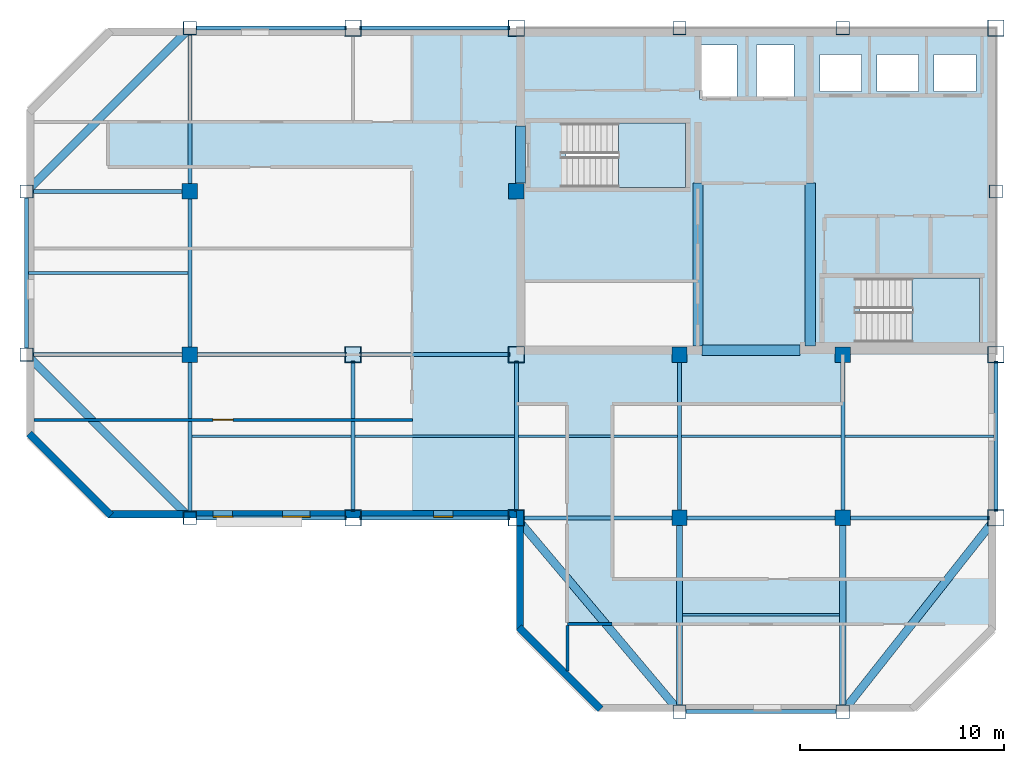
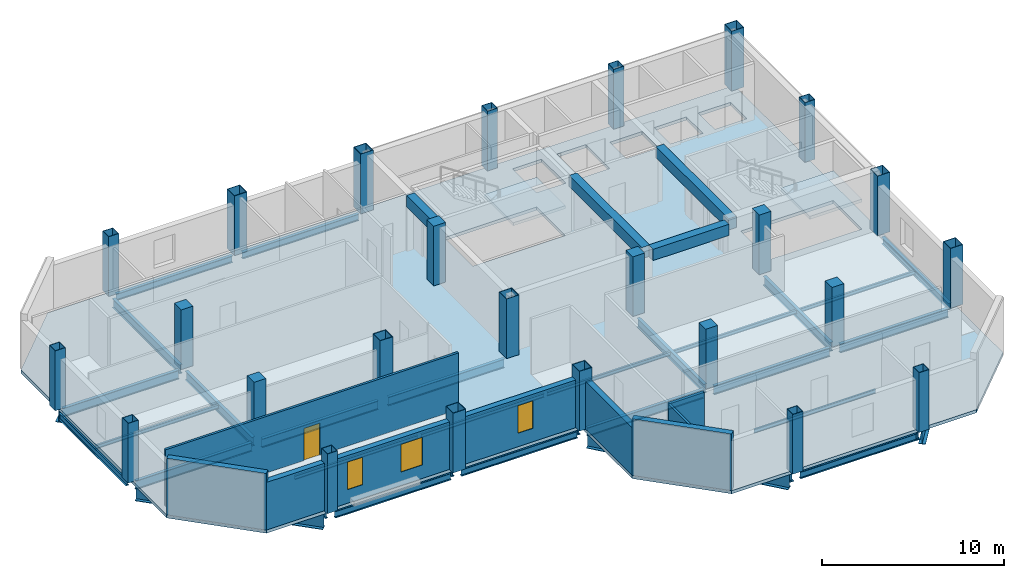
# One storey, part 1 of 7: 38 beams, 25 columns, 7 walls, 3 slabs, 3 windows, 1 door, 4 openings, 2 elements without a shape of their own.
"""IFC4 building model written with IfcOpenShell, lengths in metres."""

from ifc_helpers import new_model, si_unit, direction, frame, frame_2d, origin, origin_2d, place, context, subcontext, project, spatial, polyline, rectangle, hollow_rectangle, i_section, outline, extrude, material, layer, layer_set, material_profile, profile_set, type_object, element, fill, aggregate, save


model = new_model("IFC4")

# Units and contexts
model_context = context("Model", 3, precision=1e-05, world=origin(), true_north=direction((0.0, 1.0)))
body_context = subcontext(model_context, "Body", "Model", "MODEL_VIEW")
ifc_project = project(units=[si_unit("LENGTHUNIT", "METRE"), si_unit("AREAUNIT", "SQUARE_METRE"), si_unit("VOLUMEUNIT", "CUBIC_METRE"), si_unit("PLANEANGLEUNIT", "RADIAN"), si_unit("MASSUNIT", "GRAM", prefix="KILO")], contexts=[model_context])

# Site, building, storey
site_placement = place(None, origin())
site = spatial("IfcSite", under=ifc_project, at=site_placement, CompositionType="ELEMENT")
building_placement = place(site_placement, origin())
building = spatial("IfcBuilding", under=site, at=building_placement, Name="Qianrong Seaharbour Tower", CompositionType="ELEMENT")
storey_placement = place(building_placement, frame((0.0, 0.0, 307.199951171875)))
storey = spatial("IfcBuildingStorey", under=building, at=storey_placement, Name="L74", CompositionType="ELEMENT", Elevation=307.199951171875)

# Columns
ifc_material_1 = material(Name="Structural steel SN490B", Category="steel")
ifc_material_profile_1 = material_profile(ifc_material_1, hollow_rectangle(XDim=0.800048828125, YDim=0.800048828125, WallThickness=0.031982421875, at=origin_2d()), Name="BOX800x800x32")
ifc_profile_set_1 = profile_set([ifc_material_profile_1], Name="Structural steel SN490B")
column_type_1 = type_object("IfcColumnType", Name="COL-CFT-800", PredefinedType="COLUMN", material=ifc_profile_set_1)
for number, where, z_axis, x_axis, name in (
    (1, (32.5, 28.0, 0.0), (0.0, 0.0, 1.0), (1.0, 0.0, 0.0), "L74 Column MC-5 at G5/GE"),
    (2, (32.5, 36.0, 0.0), (0.0, 0.0, 1.0), (1.0, 0.0, 0.0), "L74 Column MC-5 at G5/GF"),
    (3, (32.5, 52.0, 0.0), (0.0, 0.0, 1.0), (1.0, 0.0, 0.0), "L74 Column MC-5 at G5/GH"),
    (4, (40.5, 28.0, 0.0), (0.0, 0.0, 1.0), (1.0, 0.0, 0.0), "L74 Column MC-5 at G6/GE"),
    (5, (40.5, 36.0, 0.0), (0.0, 0.0, 1.0), (1.0, 0.0, 0.0), "L74 Column MC-5 at G6/GF"),
    (6, (40.5, 52.0, 0.0), (0.0, 0.0, 1.0), (1.0, 0.0, 0.0), "L74 Column MC-5 at G6/GH"),
    (7, (64.0, 28.0, 0.0), (0.0, 0.0, 1.0), (1.0, 0.0, 0.0), "L74 Column MC-5 at G9/GE"),
    (8, (64.0, 36.0, 0.0), (0.0, 0.0, 1.0), (1.0, 0.0, 0.0), "L74 Column MC-5 at G9/GF"),
    (9, (64.0, 52.0, 0.0), (0.0, 0.0, 1.0), (1.0, 0.0, 0.0), "L74 Column MC-5 at G9/GH"),
):
    element("IfcColumn", number, at=place(storey_placement, frame(where, z_axis=z_axis, x_axis=x_axis)), inside=storey, type_object=column_type_1, Name=name, PredefinedType="COLUMN", context=body_context, shape_type="SweptSolid", body=[
        extrude(hollow_rectangle(XDim=0.800048828125, YDim=0.800048828125, WallThickness=0.031982421875, at=origin_2d()), origin(), (0.0, 0.0, 1.0), 4.0),
    ])
ifc_material_2 = material(Name="Concrete C50/60", Category="concrete")
ifc_material_profile_2 = material_profile(ifc_material_2, rectangle(XDim=0.75, YDim=0.75, at=origin_2d()), Name="RC750x750")
ifc_profile_set_2 = profile_set([ifc_material_profile_2], Name="Concrete C50/60")
column_type_2 = type_object("IfcColumnType", Name="COL-INT-RC750", PredefinedType="COLUMN", material=ifc_profile_set_2)
for number, where, z_axis, x_axis, name in (
    (10, (24.5, 36.0, 0.0), (0.0, 0.0, 1.0), (1.0, 0.0, 0.0), "L74 Column IC-4 at G4/GF"),
    (11, (24.5, 44.0, 0.0), (0.0, 0.0, 1.0), (1.0, 0.0, 0.0), "L74 Column IC-4 at G4/GG"),
    (12, (40.5, 44.0, 0.0), (0.0, 0.0, 1.0), (1.0, 0.0, 0.0), "L74 Column IC-4 at G6/GG"),
    (13, (48.5, 28.0, 0.0), (0.0, 0.0, 1.0), (1.0, 0.0, 0.0), "L74 Column IC-4 at G7/GE"),
    (14, (48.5, 36.0, 0.0), (0.0, 0.0, 1.0), (1.0, 0.0, 0.0), "L74 Column IC-4 at G7/GF"),
    (15, (56.5, 28.0, 0.0), (0.0, 0.0, 1.0), (1.0, 0.0, 0.0), "L74 Column IC-4 at G8/GE"),
    (16, (56.5, 36.0, 0.0), (0.0, 0.0, 1.0), (1.0, 0.0, 0.0), "L74 Column IC-4 at G8/GF"),
):
    element("IfcColumn", number, at=place(storey_placement, frame(where, z_axis=z_axis, x_axis=x_axis)), inside=storey, type_object=column_type_2, Name=name, PredefinedType="COLUMN", context=body_context, shape_type="SweptSolid", body=[
        extrude(rectangle(XDim=0.75, YDim=0.75, at=origin_2d()), origin(), (0.0, 0.0, 1.0), 4.0),
    ])
ifc_material_3 = material(Name="Structural steel SN400B", Category="steel")
ifc_material_profile_3 = material_profile(ifc_material_3, hollow_rectangle(XDim=0.64990234375, YDim=0.64990234375, WallThickness=0.028076171875, at=origin_2d()), Name="BOX650x650x28")
ifc_profile_set_3 = profile_set([ifc_material_profile_3], Name="Structural steel SN400B")
column_type_3 = type_object("IfcColumnType", Name="COL-PER-650", PredefinedType="COLUMN", material=ifc_profile_set_3)
for number, where, z_axis, x_axis, name in (
    (17, (16.5, 36.0, 0.0), (0.0, 0.0, 1.0), (1.0, 0.0, 0.0), "L74 Column PC-4 at G3/GF"),
    (18, (16.5, 44.0, 0.0), (0.0, 0.0, 1.0), (1.0, 0.0, 0.0), "L74 Column PC-4 at G3/GG"),
    (19, (24.5, 28.0, 0.0), (0.0, 0.0, 1.0), (1.0, 0.0, 0.0), "L74 Column PC-4 at G4/GE"),
    (20, (24.5, 52.0, 0.0), (0.0, 0.0, 1.0), (1.0, 0.0, 0.0), "L74 Column PC-4 at G4/GH"),
    (21, (48.5, 18.5, 0.0), (0.0, 0.0, 1.0), (1.0, 0.0, 0.0), "L74 Column PC-4 at G7/GD"),
    (22, (48.5, 52.0, 0.0), (0.0, 0.0, 1.0), (1.0, 0.0, 0.0), "L74 Column PC-4 at G7/GH"),
    (23, (56.5, 18.5, 0.0), (0.0, 0.0, 1.0), (1.0, 0.0, 0.0), "L74 Column PC-4 at G8/GD"),
    (24, (56.5, 52.0, 0.0), (0.0, 0.0, 1.0), (1.0, 0.0, 0.0), "L74 Column PC-4 at G8/GH"),
    (25, (64.0, 44.0, 0.0), (0.0, 0.0, 1.0), (1.0, 0.0, 0.0), "L74 Column PC-4 at G9/GG"),
):
    element("IfcColumn", number, at=place(storey_placement, frame(where, z_axis=z_axis, x_axis=x_axis)), inside=storey, type_object=column_type_3, Name=name, PredefinedType="COLUMN", context=body_context, shape_type="SweptSolid", body=[
        extrude(hollow_rectangle(XDim=0.64990234375, YDim=0.64990234375, WallThickness=0.028076171875, at=origin_2d()), origin(), (0.0, 0.0, 1.0), 4.0),
    ])

# Beams
ifc_material_profile_4 = material_profile(ifc_material_1, i_section(OverallWidth=0.199951171875, OverallDepth=0.60009765625, WebThickness=0.010986328125, FlangeThickness=0.01708984375, FilletRadius=0.02197265625, at=origin_2d()), Name="H600x200x11x17")
ifc_profile_set_4 = profile_set([ifc_material_profile_4], Name="Structural steel SN490B")
beam_type_1 = type_object("IfcBeamType", Name="BM-G-600", PredefinedType="BEAM", material=ifc_profile_set_4)
for number, where, z_axis, x_axis, name in (
    (26, (40.820068359375, 28.0, -0.514892578125), (1.0, 0.0, 0.0), (0.0, 1.0, 0.0), "L74 Primary Girder GE G6-G7"),
    (27, (48.820068359375, 28.0, -0.514892578125), (1.0, 0.0, 0.0), (0.0, 1.0, 0.0), "L74 Primary Girder GE G7-G8"),
):
    element("IfcBeam", number, at=place(storey_placement, frame(where, z_axis=z_axis, x_axis=x_axis)), inside=storey, type_object=beam_type_1, Name=name, PredefinedType="BEAM", context=body_context, shape_type="SweptSolid", body=[
        extrude(i_section(OverallWidth=0.199951171875, OverallDepth=0.60009765625, WebThickness=0.010986328125, FlangeThickness=0.01708984375, FilletRadius=0.02197265625, at=origin_2d()), origin(), (0.0, 0.0, 1.0), 7.35986328125),
    ])
beam_1_placement = place(storey_placement, frame((56.820068359375, 28.0, -0.514892578125), z_axis=(1.0, 0.0, 0.0), x_axis=(0.0, 1.0, 0.0)))
element("IfcBeam", 28, at=beam_1_placement, inside=storey, type_object=beam_type_1, Name="L74 Primary Girder GE G8-G9", PredefinedType="BEAM", context=body_context, shape_type="SweptSolid", body=[
    extrude(i_section(OverallWidth=0.199951171875, OverallDepth=0.60009765625, WebThickness=0.010986328125, FlangeThickness=0.01708984375, FilletRadius=0.02197265625, at=origin_2d()), origin(), (0.0, 0.0, 1.0), 6.85986328125),
])
for number, where, z_axis, x_axis, name in (
    (29, (16.820068359375, 36.0, -0.514892578125), (1.0, 0.0, 0.0), (0.0, 1.0, 0.0), "L74 Primary Girder GF G3-G4"),
    (30, (24.820068359375, 36.0, -0.514892578125), (1.0, 0.0, 0.0), (0.0, 1.0, 0.0), "L74 Primary Girder GF G4-G5"),
    (31, (32.820068359375, 36.0, -0.514892578125), (1.0, 0.0, 0.0), (0.0, 1.0, 0.0), "L74 Primary Girder GF G5-G6"),
    (32, (16.820068359375, 44.0, -0.514892578125), (1.0, 0.0, 0.0), (0.0, 1.0, 0.0), "L74 Primary Girder GG G3-G4"),
    (33, (24.5, 28.320068359375, -0.514892578125), (0.0, 1.0, 0.0), (-1.0, 0.0, 0.0), "L74 Primary Girder G4 GE-GF"),
    (34, (24.5, 36.320068359375, -0.514892578125), (0.0, 1.0, 0.0), (-1.0, 0.0, 0.0), "L74 Primary Girder G4 GF-GG"),
    (35, (24.5, 44.320068359375, -0.514892578125), (0.0, 1.0, 0.0), (-1.0, 0.0, 0.0), "L74 Primary Girder G4 GG-GH"),
    (36, (32.5, 28.320068359375, -0.514892578125), (0.0, 1.0, 0.0), (-1.0, 0.0, 0.0), "L74 Primary Girder G5 GE-GF"),
    (37, (40.5, 28.320068359375, -0.514892578125), (0.0, 1.0, 0.0), (-1.0, 0.0, 0.0), "L74 Primary Girder G6 GE-GF"),
    (38, (48.5, 28.320068359375, -0.514892578125), (0.0, 1.0, 0.0), (-1.0, 0.0, 0.0), "L74 Primary Girder G7 GE-GF"),
    (39, (56.5, 28.320068359375, -0.514892578125), (0.0, 1.0, 0.0), (-1.0, 0.0, 0.0), "L74 Primary Girder G8 GE-GF"),
):
    element("IfcBeam", number, at=place(storey_placement, frame(where, z_axis=z_axis, x_axis=x_axis)), inside=storey, type_object=beam_type_1, Name=name, PredefinedType="BEAM", context=body_context, shape_type="SweptSolid", body=[
        extrude(i_section(OverallWidth=0.199951171875, OverallDepth=0.60009765625, WebThickness=0.010986328125, FlangeThickness=0.01708984375, FilletRadius=0.02197265625, at=origin_2d()), origin(), (0.0, 0.0, 1.0), 7.35986328125),
    ])
ifc_material_profile_5 = material_profile(ifc_material_1, i_section(OverallWidth=0.300048828125, OverallDepth=0.800048828125, WebThickness=0.013916015625, FlangeThickness=0.02587890625, FilletRadius=0.028076171875, at=origin_2d()), Name="H800x300x14x26")
ifc_profile_set_5 = profile_set([ifc_material_profile_5], Name="Structural steel SN490B")
beam_type_2 = type_object("IfcBeamType", Name="BM-G-800", PredefinedType="BEAM", material=ifc_profile_set_5)
for number, where, z_axis, x_axis, name in (
    (40, (48.5, 18.820068359375, -0.614990234375), (0.0, 1.0, 0.0), (-1.0, 0.0, 0.0), "L74 Primary Girder G7 GD-GE"),
    (41, (56.5, 18.820068359375, -0.614990234375), (0.0, 1.0, 0.0), (-1.0, 0.0, 0.0), "L74 Primary Girder G8 GD-GE"),
):
    element("IfcBeam", number, at=place(storey_placement, frame(where, z_axis=z_axis, x_axis=x_axis)), inside=storey, type_object=beam_type_2, Name=name, PredefinedType="BEAM", context=body_context, shape_type="SweptSolid", body=[
        extrude(i_section(OverallWidth=0.300048828125, OverallDepth=0.800048828125, WebThickness=0.013916015625, FlangeThickness=0.02587890625, FilletRadius=0.028076171875, at=origin_2d()), origin(), (0.0, 0.0, 1.0), 8.85986328125),
    ])
ifc_material_profile_6 = material_profile(ifc_material_3, i_section(OverallWidth=0.125, OverallDepth=0.25, WebThickness=0.006103515625, FlangeThickness=0.009033203125, FilletRadius=0.011962890625, at=origin_2d()), Name="H250x125x6x9")
ifc_profile_set_6 = profile_set([ifc_material_profile_6], Name="Structural steel SN400B")
beam_type_3 = type_object("IfcBeamType", Name="BM-J-250", PredefinedType="JOIST", material=ifc_profile_set_6)
for number, where, z_axis, x_axis, name in (
    (42, (16.60009765625, 40.0, -0.33984375), (1.0, 0.0, 0.0), (0.0, 1.0, 0.0), "L74 Composite Floor Joist G3-G4/GF-GG"),
    (43, (24.60009765625, 32.0, -0.33984375), (1.0, 0.0, 0.0), (0.0, 1.0, 0.0), "L74 Composite Floor Joist G4-G5/GE-GF"),
    (44, (32.60009765625, 32.0, -0.33984375), (1.0, 0.0, 0.0), (0.0, 1.0, 0.0), "L74 Composite Floor Joist G5-G6/GE-GF"),
    (45, (40.60009765625, 32.0, -0.33984375), (1.0, 0.0, 0.0), (0.0, 1.0, 0.0), "L74 Composite Floor Joist G6-G7/GE-GF"),
):
    element("IfcBeam", number, at=place(storey_placement, frame(where, z_axis=z_axis, x_axis=x_axis)), inside=storey, type_object=beam_type_3, Name=name, PredefinedType="JOIST", context=body_context, shape_type="SweptSolid", body=[
        extrude(i_section(OverallWidth=0.125, OverallDepth=0.25, WebThickness=0.006103515625, FlangeThickness=0.009033203125, FilletRadius=0.011962890625, at=origin_2d()), origin(), (0.0, 0.0, 1.0), 7.7998046875),
    ])
beam_2_placement = place(storey_placement, frame((48.64990234375, 23.25, -0.33984375), z_axis=(1.0, 0.0, 0.0), x_axis=(0.0, 1.0, 0.0)))
element("IfcBeam", 46, at=beam_2_placement, inside=storey, type_object=beam_type_3, Name="L74 Composite Floor Joist G7-G8/GD-GE", PredefinedType="JOIST", context=body_context, shape_type="SweptSolid", body=[
    extrude(i_section(OverallWidth=0.125, OverallDepth=0.25, WebThickness=0.006103515625, FlangeThickness=0.009033203125, FilletRadius=0.011962890625, at=origin_2d()), origin(), (0.0, 0.0, 1.0), 7.7001953125),
])
beam_3_placement = place(storey_placement, frame((48.60009765625, 32.0, -0.33984375), z_axis=(1.0, 0.0, 0.0), x_axis=(0.0, 1.0, 0.0)))
element("IfcBeam", 47, at=beam_3_placement, inside=storey, type_object=beam_type_3, Name="L74 Composite Floor Joist G7-G8/GE-GF", PredefinedType="JOIST", context=body_context, shape_type="SweptSolid", body=[
    extrude(i_section(OverallWidth=0.125, OverallDepth=0.25, WebThickness=0.006103515625, FlangeThickness=0.009033203125, FilletRadius=0.011962890625, at=origin_2d()), origin(), (0.0, 0.0, 1.0), 7.7998046875),
])
beam_4_placement = place(storey_placement, frame((56.60009765625, 32.0, -0.33984375), z_axis=(1.0, 0.0, 0.0), x_axis=(0.0, 1.0, 0.0)))
element("IfcBeam", 48, at=beam_4_placement, inside=storey, type_object=beam_type_3, Name="L74 Composite Floor Joist G8-G9/GE-GF", PredefinedType="JOIST", context=body_context, shape_type="SweptSolid", body=[
    extrude(i_section(OverallWidth=0.125, OverallDepth=0.25, WebThickness=0.006103515625, FlangeThickness=0.009033203125, FilletRadius=0.011962890625, at=origin_2d()), origin(), (0.0, 0.0, 1.0), 7.2998046875),
])
ifc_material_4 = material(Name="Concrete C60/75", Category="concrete")
ifc_material_profile_7 = material_profile(ifc_material_4, rectangle(XDim=0.5, YDim=0.75, at=origin_2d()), Name="RC500x750")
ifc_profile_set_7 = profile_set([ifc_material_profile_7], Name="Concrete C60/75")
beam_type_4 = type_object("IfcBeamType", Name="BM-LINTEL-750", PredefinedType="LINTEL", material=ifc_profile_set_7)
beam_5_placement = place(storey_placement, frame((40.7099609375, 44.39990234375, 3.41015625), z_axis=(0.0, 1.0, 0.0), x_axis=(-1.0, 0.0, 0.0)))
element("IfcBeam", 49, at=beam_5_placement, inside=storey, type_object=beam_type_4, Name="L74 Core Coupling Lintel Beam West", PredefinedType="LINTEL", context=body_context, shape_type="SweptSolid", body=[
    extrude(rectangle(XDim=0.5, YDim=0.75, at=origin_2d()), origin(), (0.0, 0.0, 1.0), 2.800048828125),
])
beam_6_placement = place(storey_placement, frame((49.60009765625, 36.2099609375, 3.41015625), z_axis=(1.0, 0.0, 0.0), x_axis=(0.0, 1.0, 0.0)))
element("IfcBeam", 50, at=beam_6_placement, inside=storey, type_object=beam_type_4, Name="L74 Core Coupling Lintel Beam CBC", PredefinedType="LINTEL", context=body_context, shape_type="SweptSolid", body=[
    extrude(rectangle(XDim=0.5, YDim=0.75, at=origin_2d()), origin(), (0.0, 0.0, 1.0), 4.7998046875),
])
for number, where, z_axis, x_axis, name in (
    (51, (49.39990234375, 36.419921875, 3.41015625), (0.0, 1.0, 0.0), (-1.0, 0.0, 0.0), "L74 Internal Core Coupling Beam IW1"),
    (52, (54.89990234375, 36.419921875, 3.41015625), (0.0, 1.0, 0.0), (-1.0, 0.0, 0.0), "L74 Internal Core Coupling Beam IW2"),
):
    element("IfcBeam", number, at=place(storey_placement, frame(where, z_axis=z_axis, x_axis=x_axis)), inside=storey, type_object=beam_type_4, Name=name, PredefinedType="LINTEL", context=body_context, shape_type="SweptSolid", body=[
        extrude(rectangle(XDim=0.5, YDim=0.75, at=origin_2d()), origin(), (0.0, 0.0, 1.0), 7.97998046875),
    ])
ifc_material_profile_8 = material_profile(ifc_material_3, i_section(OverallWidth=0.199951171875, OverallDepth=0.449951171875, WebThickness=0.009033203125, FlangeThickness=0.013916015625, FilletRadius=0.01806640625, at=origin_2d()), Name="H450x200x9x14")
ifc_profile_set_8 = profile_set([ifc_material_profile_8], Name="Structural steel SN400B")
beam_type_5 = type_object("IfcBeamType", Name="BM-SP-450", PredefinedType="SPANDREL", material=ifc_profile_set_8)
for number, where, z_axis, x_axis, name in (
    (53, (48.820068359375, 18.5, -0.43994140625), (1.0, 0.0, 0.0), (0.0, 1.0, 0.0), "L74 Spandrel Girder GD G7-G8"),
    (54, (24.820068359375, 28.0, -0.43994140625), (1.0, 0.0, 0.0), (0.0, 1.0, 0.0), "L74 Spandrel Girder GE G4-G5"),
    (55, (32.820068359375, 28.0, -0.43994140625), (1.0, 0.0, 0.0), (0.0, 1.0, 0.0), "L74 Spandrel Girder GE G5-G6"),
    (56, (24.820068359375, 52.0, -0.43994140625), (1.0, 0.0, 0.0), (0.0, 1.0, 0.0), "L74 Spandrel Girder GH G4-G5"),
    (57, (32.820068359375, 52.0, -0.43994140625), (1.0, 0.0, 0.0), (0.0, 1.0, 0.0), "L74 Spandrel Girder GH G5-G6"),
    (58, (16.5, 36.320068359375, -0.43994140625), (0.0, 1.0, 0.0), (-1.0, 0.0, 0.0), "L74 Spandrel Girder G3 GF-GG"),
    (59, (64.0, 28.320068359375, -0.43994140625), (0.0, 1.0, 0.0), (-1.0, 0.0, 0.0), "L74 Spandrel Girder G9 GE-GF"),
):
    element("IfcBeam", number, at=place(storey_placement, frame(where, z_axis=z_axis, x_axis=x_axis)), inside=storey, type_object=beam_type_5, Name=name, PredefinedType="SPANDREL", context=body_context, shape_type="SweptSolid", body=[
        extrude(i_section(OverallWidth=0.199951171875, OverallDepth=0.449951171875, WebThickness=0.009033203125, FlangeThickness=0.013916015625, FilletRadius=0.01806640625, at=origin_2d()), origin(), (0.0, 0.0, 1.0), 7.35986328125),
    ])
ifc_material_profile_9 = material_profile(ifc_material_1, i_section(OverallWidth=0.39990234375, OverallDepth=1.10009765625, WebThickness=0.02001953125, FlangeThickness=0.035888671875, at=origin_2d()), Name="BH1100x400x20x36")
ifc_profile_set_9 = profile_set([ifc_material_profile_9], Name="Structural steel SN490B")
beam_type_6 = type_object("IfcBeamType", Name="BM-TG-1100", PredefinedType="BEAM", material=ifc_profile_set_9)
for number, where, z_axis, x_axis, name in (
    (60, (24.273681640625, 28.226318359375, -0.764892578125), (-0.707106781187, 0.707106781187, 0.0), (-0.707106781187, -0.707106781187, 0.0), "L74 Chamfer Corner Spandrel Girder G3/GE"),
    (61, (24.273681640625, 51.773681640625, -0.764892578125), (-0.707106781187, -0.707106781187, 0.0), (0.707106781187, -0.707106781187, 0.0), "L74 Chamfer Corner Spandrel Girder G3/GH"),
):
    element("IfcBeam", number, at=place(storey_placement, frame(where, z_axis=z_axis, x_axis=x_axis)), inside=storey, type_object=beam_type_6, Name=name, PredefinedType="BEAM", context=body_context, shape_type="SweptSolid", body=[
        extrude(i_section(OverallWidth=0.39990234375, OverallDepth=1.10009765625, WebThickness=0.02001953125, FlangeThickness=0.035888671875, at=origin_2d()), origin(), (0.0, 0.0, 1.0), 10.673583984375),
    ])
beam_7_placement = place(storey_placement, frame((48.2939453125, 18.744873046875, -0.764892578125), z_axis=(-0.644151063101, 0.764898299061, 0.0), x_axis=(-0.764898299061, -0.644151063101, 0.0)))
element("IfcBeam", 62, at=beam_7_placement, inside=storey, type_object=beam_type_6, Name="L74 Chamfer Corner Spandrel Girder G6/GD", PredefinedType="BEAM", context=body_context, shape_type="SweptSolid", body=[
    extrude(i_section(OverallWidth=0.39990234375, OverallDepth=1.10009765625, WebThickness=0.02001953125, FlangeThickness=0.035888671875, at=origin_2d()), origin(), (0.0, 0.0, 1.0), 11.77978515625),
])
beam_8_placement = place(storey_placement, frame((56.6982421875, 18.751220703125, -0.764892578125), z_axis=(0.619653955715, 0.784875133487, 0.0), x_axis=(-0.784875133487, 0.619653955715, 0.0)))
element("IfcBeam", 63, at=beam_8_placement, inside=storey, type_object=beam_type_6, Name="L74 Chamfer Corner Spandrel Girder G9/GD", PredefinedType="BEAM", context=body_context, shape_type="SweptSolid", body=[
    extrude(i_section(OverallWidth=0.39990234375, OverallDepth=1.10009765625, WebThickness=0.02001953125, FlangeThickness=0.035888671875, at=origin_2d()), origin(), (0.0, 0.0, 1.0), 11.463623046875),
])

# Stair, slab
stair_type = type_object("IfcStairType", Name="STAIR-DOGLEG-1500-R22", PredefinedType="HALF_TURN_STAIR", material=ifc_material_2)
stair_1_placement = place(storey_placement, origin())
stair_1 = element("IfcStair", 64, at=stair_1_placement, inside=storey, type_object=stair_type, Name="L74 Protected Escape Stair ST-1", PredefinedType="HALF_TURN_STAIR")
ifc_layer_1 = layer(ifc_material_2, 0.199951171875)
ifc_layer_set_1 = layer_set([ifc_layer_1], Name="Concrete C50/60")
slab_type_1 = type_object("IfcSlabType", Name="SLAB-STAIR-LANDING-200", PredefinedType="LANDING", material=ifc_layer_set_1)
slab_1_placement = place(storey_placement, frame((0.0, 0.0, 1.800048828125)))
slab_1 = element("IfcSlab", 65, at=slab_1_placement, type_object=slab_type_1, Name="ST-1 landing 1", PredefinedType="LANDING", context=body_context, shape_type="SweptSolid", body=[
    extrude(outline(polyline([(45.5, 44.199951171875), (48.800048828125, 44.199951171875), (48.800048828125, 47.35009765625), (45.5, 47.35009765625), (45.5, 44.199951171875)])), origin(), (0.0, 0.0, 1.0), 0.199951171875),
])
aggregate(stair_1, [slab_1])

stair_2_placement = place(storey_placement, origin())
stair_2 = element("IfcStair", 66, at=stair_2_placement, inside=storey, type_object=stair_type, Name="L74 Protected Escape Stair ST-2", PredefinedType="HALF_TURN_STAIR")
slab_2_placement = place(storey_placement, frame((0.0, 0.0, 1.800048828125)))
slab_2 = element("IfcSlab", 67, at=slab_2_placement, type_object=slab_type_1, Name="ST-2 landing 1", PredefinedType="LANDING", context=body_context, shape_type="SweptSolid", body=[
    extrude(outline(polyline([(59.89990234375, 36.60009765625), (63.199951171875, 36.60009765625), (63.199951171875, 39.75), (59.89990234375, 39.75), (59.89990234375, 36.60009765625)])), origin(), (0.0, 0.0, 1.0), 0.199951171875),
])
aggregate(stair_2, [slab_2])

# Slab
ifc_layer_2 = layer(ifc_material_2, 0.215087890625)
ifc_layer_set_2 = layer_set([ifc_layer_2], Name="Concrete C50/60")
slab_type_2 = type_object("IfcSlabType", Name="SLAB-Z4-215", PredefinedType="FLOOR", material=ifc_layer_set_2)
slab_3_placement = place(storey_placement, frame((0.0, 0.0, -0.21484375)))
element("IfcSlab", 68, at=slab_3_placement, inside=storey, type_object=slab_type_2, Name="L74 Structural Floor Slab", PredefinedType="FLOOR", context=body_context, shape_type="SweptSolid", body=[
    extrude(outline(polyline([(44.5, 18.5), (60.0, 18.5), (64.0, 22.5), (64.0, 52.0), (20.5, 52.0), (16.5, 48.0), (16.5, 32.0), (20.5, 28.0), (40.5, 28.0), (40.5, 22.5), (44.5, 18.5)]), holes=[polyline([(42.93994140625, 44.199951171875), (42.93994140625, 47.35009765625), (48.800048828125, 47.35009765625), (48.800048828125, 44.199951171875), (42.93994140625, 44.199951171875)]), polyline([(57.340087890625, 36.60009765625), (57.340087890625, 39.75), (63.199951171875, 39.75), (63.199951171875, 36.60009765625), (57.340087890625, 36.60009765625)]), polyline([(49.47998046875, 48.530029296875), (49.47998046875, 51.169921875), (51.320068359375, 51.169921875), (51.320068359375, 48.530029296875), (49.47998046875, 48.530029296875)]), polyline([(52.280029296875, 48.530029296875), (52.280029296875, 51.169921875), (54.1201171875, 51.169921875), (54.1201171875, 48.530029296875), (52.280029296875, 48.530029296875)]), polyline([(55.3798828125, 48.89990234375), (55.3798828125, 50.699951171875), (57.419921875, 50.699951171875), (57.419921875, 48.89990234375), (55.3798828125, 48.89990234375)]), polyline([(58.179931640625, 48.89990234375), (58.179931640625, 50.699951171875), (60.219970703125, 50.699951171875), (60.219970703125, 48.89990234375), (58.179931640625, 48.89990234375)]), polyline([(60.97998046875, 48.89990234375), (60.97998046875, 50.699951171875), (63.02001953125, 50.699951171875), (63.02001953125, 48.89990234375), (60.97998046875, 48.89990234375)])]), origin(), (0.0, 0.0, 1.0), 0.21484375),
])

# Walls
ifc_material_5 = material(Name="Fire-rated acoustic gypsum board partition")
ifc_layer_3 = layer(ifc_material_5, 0.1650390625)
ifc_layer_set_3 = layer_set([ifc_layer_3], Name="Fire-rated acoustic gypsum board partition")
wall_type_1 = type_object("IfcWallType", Name="WALL-CORR-PART-165", PredefinedType="PARTITIONING", material=ifc_layer_set_3)
wall_1_placement = place(storey_placement, frame((45.199951171875, 22.800048828125, 0.0), z_axis=(0.0, 0.0, 1.0), x_axis=(-1.0, 0.0, 0.0)))
element("IfcWall", 69, at=wall_1_placement, inside=storey, type_object=wall_type_1, Name="L74 Interior Partition Wall 033", PredefinedType="PARTITIONING", context=body_context, shape_type="SweptSolid", body=[
    extrude(rectangle(XDim=2.199951171875, YDim=0.1650390625, at=frame_2d((1.10009765625, 0.0))), origin(), (0.0, 0.0, 1.0), 3.78515625),
])
ifc_material_6 = material(Name="Unitised red brick on Precast concrete C45/55", Category="masonry")
ifc_layer_4 = layer(ifc_material_6, 0.360107421875)
ifc_layer_set_4 = layer_set([ifc_layer_4], Name="Unitised red brick on Precast concrete C45/55")
wall_type_2 = type_object("IfcWallType", Name="WALL-EXT-BRICK-RED-360", PredefinedType="SOLIDWALL", material=ifc_layer_set_4)
wall_2_placement = place(storey_placement, frame((40.679931640625, 22.5, 0.0), z_axis=(0.0, 0.0, 1.0), x_axis=(0.0, 1.0, 0.0)))
element("IfcWall", 70, at=wall_2_placement, inside=storey, type_object=wall_type_2, Name="L74 Exterior Masonry Facade Wall REENTRANT_WEST", PredefinedType="SOLIDWALL", context=body_context, shape_type="SweptSolid", body=[
    extrude(rectangle(XDim=5.860107421875, YDim=0.360107421875, at=frame_2d((2.93017578125, 0.0))), origin(), (0.0, 0.0, 1.0), 3.18505859375),
])

# Wall, openings, windows
wall_3_placement = place(storey_placement, frame((40.52001953125, 28.179931640625, 0.0), z_axis=(0.0, 0.0, 1.0), x_axis=(-1.0, 0.0, 0.0)))
wall_3 = element("IfcWall", 71, at=wall_3_placement, inside=storey, type_object=wall_type_2, Name="L74 Exterior Masonry Facade Wall HARBOUR_RIBBON", PredefinedType="SOLIDWALL", context=body_context, shape_type="SweptSolid", body=[
    extrude(rectangle(XDim=20.02001953125, YDim=0.360107421875, at=frame_2d((10.010009765625, 0.0))), origin(), (0.0, 0.0, 1.0), 3.18505859375),
])
opening_1_placement = place(wall_3_placement, frame((3.125, 0.0, 0.89990234375)))
opening_1 = element("IfcOpeningElement", 72, at=opening_1_placement, cuts=wall_3, Name="Opening WN-13", PredefinedType="OPENING", context=body_context, shape_type="SweptSolid", body=[
    extrude(rectangle(XDim=0.949951171875, YDim=1.85009765625, at=frame_2d((0.47509765625, 0.925048828125))), frame((0.0, 0.18994140625, 0.0), z_axis=(0.0, -1.0, 0.0), x_axis=(1.0, 0.0, 0.0)), (0.0, 0.0, 1.0), 0.380126953125),
])
opening_2_placement = place(wall_3_placement, frame((10.125, 0.0, 0.89990234375)))
opening_2 = element("IfcOpeningElement", 73, at=opening_2_placement, cuts=wall_3, Name="Opening WN-02", PredefinedType="OPENING", context=body_context, shape_type="SweptSolid", body=[
    extrude(rectangle(XDim=1.35009765625, YDim=1.85009765625, at=frame_2d((0.675048828125, 0.925048828125))), frame((0.0, 0.18994140625, 0.0), z_axis=(0.0, -1.0, 0.0), x_axis=(1.0, 0.0, 0.0)), (0.0, 0.0, 1.0), 0.380126953125),
])
opening_3_placement = place(wall_3_placement, frame((13.925048828125, 0.0, 0.89990234375)))
opening_3 = element("IfcOpeningElement", 74, at=opening_3_placement, cuts=wall_3, Name="Opening WN-13", PredefinedType="OPENING", context=body_context, shape_type="SweptSolid", body=[
    extrude(rectangle(XDim=0.949951171875, YDim=1.85009765625, at=frame_2d((0.47509765625, 0.925048828125))), frame((0.0, 0.18994140625, 0.0), z_axis=(0.0, -1.0, 0.0), x_axis=(1.0, 0.0, 0.0)), (0.0, 0.0, 1.0), 0.380126953125),
])
ifc_material_7 = material(Name="Insulated low-e double glazing in thermally broken aluminium 6063-T6 frame", Category="aluminium")
window_type_1 = type_object("IfcWindowType", Name="WIN-NARROW-950x1850", PartitioningType="SINGLE_PANEL", PredefinedType="WINDOW", material=ifc_material_7)
window_1_placement = place(opening_1_placement, origin())
window_1 = element("IfcWindow", 75, at=window_1_placement, inside=storey, type_object=window_type_1, Name="L74 Deep-Set Punched Window 01.01", OverallHeight=1.85009765625, OverallWidth=0.949951171875, PartitioningType="SINGLE_PANEL", PredefinedType="WINDOW", context=body_context, shape_type="SweptSolid", body=[
    extrude(rectangle(XDim=0.949951171875, YDim=1.85009765625, at=frame_2d((0.47509765625, 0.925048828125))), frame((0.0, 0.150146484375, 0.0), z_axis=(0.0, -1.0, 0.0), x_axis=(1.0, 0.0, 0.0)), (0.0, 0.0, 1.0), 0.06005859375),
])
fill(opening_1, window_1)
window_2_placement = place(opening_3_placement, origin())
window_2 = element("IfcWindow", 76, at=window_2_placement, inside=storey, type_object=window_type_1, Name="L74 Deep-Set Punched Window 01.04", OverallHeight=1.85009765625, OverallWidth=0.949951171875, PartitioningType="SINGLE_PANEL", PredefinedType="WINDOW", context=body_context, shape_type="SweptSolid", body=[
    extrude(rectangle(XDim=0.949951171875, YDim=1.85009765625, at=frame_2d((0.47509765625, 0.925048828125))), frame((0.0, 0.150146484375, 0.0), z_axis=(0.0, -1.0, 0.0), x_axis=(1.0, 0.0, 0.0)), (0.0, 0.0, 1.0), 0.06005859375),
])
fill(opening_3, window_2)
window_type_2 = type_object("IfcWindowType", Name="WIN-PUNCH-1350x1850", PartitioningType="DOUBLE_PANEL_VERTICAL", PredefinedType="WINDOW", material=ifc_material_7)
window_3_placement = place(opening_2_placement, origin())
window_3 = element("IfcWindow", 77, at=window_3_placement, inside=storey, type_object=window_type_2, Name="L74 Deep-Set Punched Window 01.03", OverallHeight=1.85009765625, OverallWidth=1.35009765625, PartitioningType="DOUBLE_PANEL_VERTICAL", PredefinedType="WINDOW", context=body_context, shape_type="SweptSolid", body=[
    extrude(rectangle(XDim=1.35009765625, YDim=1.85009765625, at=frame_2d((0.675048828125, 0.925048828125))), frame((0.0, 0.150146484375, 0.0), z_axis=(0.0, -1.0, 0.0), x_axis=(1.0, 0.0, 0.0)), (0.0, 0.0, 1.0), 0.06005859375),
])
fill(opening_2, window_3)

# Walls
for number, where, z_axis, x_axis, name in (
    (78, (20.627197265625, 28.127197265625, 0.0), (0.0, 0.0, 1.0), (-0.707106781187, 0.707106781187, 0.0), "L74 Exterior Masonry Facade Wall E02"),
    (79, (44.627197265625, 18.627197265625, 0.0), (0.0, 0.0, 1.0), (-0.707106781187, 0.707106781187, 0.0), "L74 Exterior Masonry Facade Wall E09"),
):
    element("IfcWall", number, at=place(storey_placement, frame(where, z_axis=z_axis, x_axis=x_axis)), inside=storey, type_object=wall_type_2, Name=name, PredefinedType="SOLIDWALL", context=body_context, shape_type="SweptSolid", body=[
        extrude(rectangle(XDim=5.65673828125, YDim=0.360107421875, at=frame_2d((2.828369140625, 0.0))), origin(), (0.0, 0.0, 1.0), 3.78515625),
    ])
ifc_material_8 = material(Name="Acoustic gypsum board stud partition")
ifc_layer_5 = layer(ifc_material_8, 0.14501953125)
ifc_layer_set_5 = layer_set([ifc_layer_5], Name="Acoustic gypsum board stud partition")
wall_type_3 = type_object("IfcWallType", Name="WALL-OFFICE-PART-145", PredefinedType="PARTITIONING", material=ifc_layer_set_5)
wall_4_placement = place(storey_placement, frame((43.0, 22.7255859375, 0.0), z_axis=(0.0, 0.0, 1.0), x_axis=(0.0, -1.0, 0.0)))
element("IfcWall", 80, at=wall_4_placement, inside=storey, type_object=wall_type_3, Name="L74 Interior Partition Wall 038", PredefinedType="PARTITIONING", context=body_context, shape_type="SweptSolid", body=[
    extrude(rectangle(XDim=2.227783203125, YDim=0.14501953125, at=frame_2d((1.11376953125, 0.0))), origin(), (0.0, 0.0, 1.0), 3.78515625),
])

# Wall, opening, door
wall_5_placement = place(storey_placement, frame((16.85205078125, 32.800048828125, 0.0), z_axis=(0.0, 0.0, 1.0), x_axis=(1.0, 0.0, 0.0)))
wall_5 = element("IfcWall", 81, at=wall_5_placement, inside=storey, type_object=wall_type_3, Name="L74 Interior Partition Wall 042", PredefinedType="PARTITIONING", context=body_context, shape_type="SweptSolid", body=[
    extrude(rectangle(XDim=18.5478515625, YDim=0.14501953125, at=frame_2d((9.27392578125, 0.0))), origin(), (0.0, 0.0, 1.0), 3.78515625),
])
opening_4_placement = place(wall_5_placement, frame((8.77392578125, 0.0, 0.0)))
opening_4 = element("IfcOpeningElement", 82, at=opening_4_placement, cuts=wall_5, Name="Opening DO-01", PredefinedType="OPENING", context=body_context, shape_type="SweptSolid", body=[
    extrude(rectangle(XDim=1.0, YDim=2.14990234375, at=frame_2d((0.5, 1.074951171875))), frame((0.0, 0.08251953125, 0.0), z_axis=(0.0, -1.0, 0.0), x_axis=(1.0, 0.0, 0.0)), (0.0, 0.0, 1.0), 0.1650390625),
])
ifc_material_9 = material(Name="Acoustic timber and galvanized steel fire door assembly", Category="steel")
door_type = type_object("IfcDoorType", Name="DOOR-OFFICE-1000x2150", OperationType="NOTDEFINED", PredefinedType="DOOR", material=ifc_material_9)
door_placement = place(opening_4_placement, origin())
door = element("IfcDoor", 83, at=door_placement, inside=storey, type_object=door_type, Name="L74 Harbour Lecture Hall 1 Door", OperationType="SINGLE_SWING_RIGHT", OverallHeight=2.14990234375, OverallWidth=1.0, PredefinedType="DOOR", context=body_context, shape_type="SweptSolid", body=[
    extrude(rectangle(XDim=1.0, YDim=2.14990234375, at=frame_2d((0.5, 1.074951171875))), frame((0.0, 0.02490234375, 0.0), z_axis=(0.0, -1.0, 0.0), x_axis=(1.0, 0.0, 0.0)), (0.0, 0.0, 1.0), 0.050048828125),
])
fill(opening_4, door)

save(model, "model.ifc")
